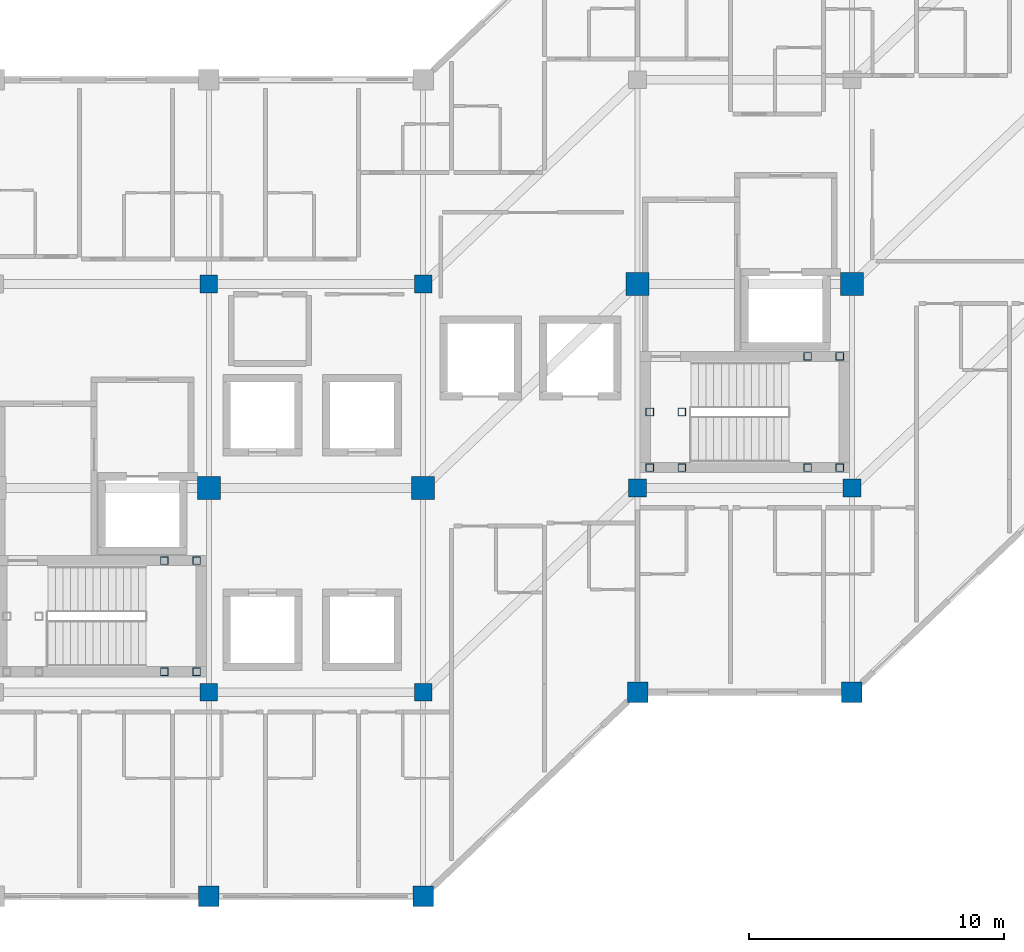
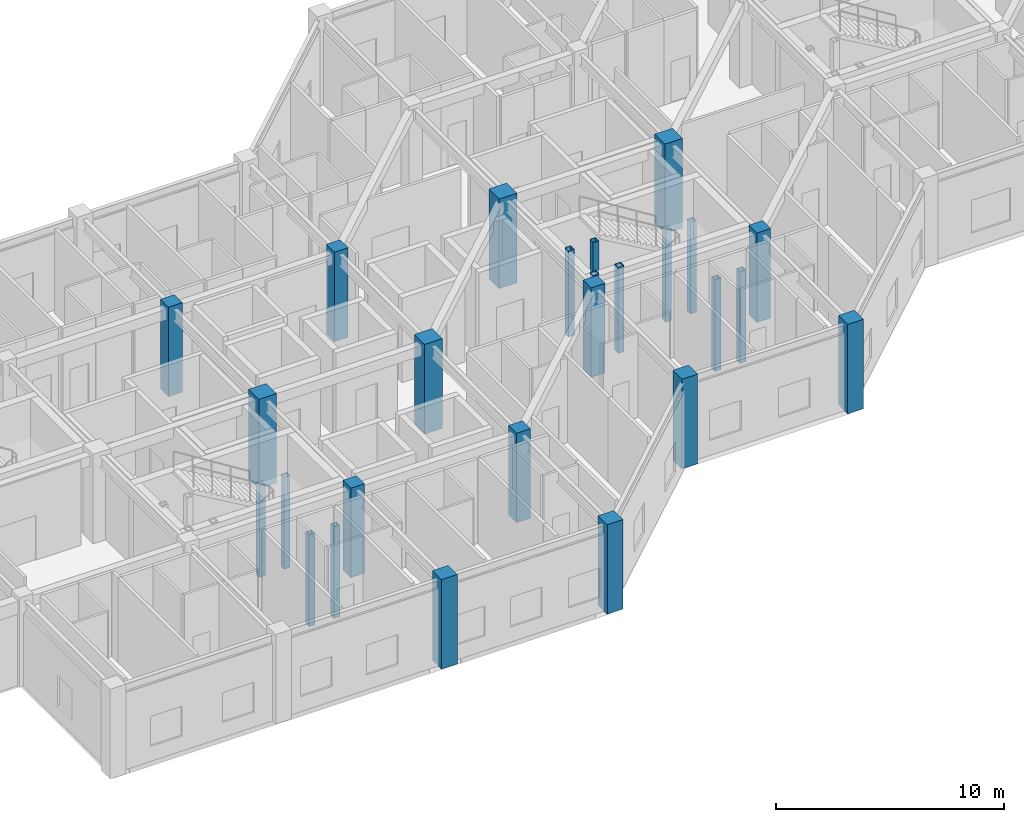
# One storey, part 8 of 76: 26 columns.
"""IFC4 building model written with IfcOpenShell, lengths in metres."""

import ifcopenshell
import ifcopenshell.guid

model = None  # the IFC model being written
_history = None  # IfcOwnerHistory: only IFC2X3 demands one
_inside = {}  # id of a spatial element -> (the spatial element, [elements in it])
_under = {}  # id of a project, library or spatial element -> (it, [spatial elements below it])
_declared = {}  # id of a project -> (the project, [libraries it declares])
_typed = {}  # id of a type object -> (the type object, [elements of that type])
_made_of = {}  # id of a material, layer set ... -> (it, [elements and type objects made of it])


def new_model(schema):
    """Start an empty IFC model of exactly this schema.

    Asked for "IFC4X3", IfcOpenShell would pick the latest addendum, in which some entities
    have other attributes; the version numbers below select the first issue.
    IFC2X3 requires an IfcOwnerHistory on every rooted entity: one is made here for all.
    """
    global model, _history
    if schema == "IFC4X3":
        model = ifcopenshell.file(schema_version=(4, 3, 0, 0))
    else:
        model = ifcopenshell.file(schema=schema)
    _inside.clear()
    _under.clear()
    _declared.clear()
    _typed.clear()
    _made_of.clear()
    _history = None
    if model.schema == "IFC2X3":
        org = make("IfcOrganization", Name="unknown")
        user = make(
            "IfcPersonAndOrganization",
            ThePerson=make("IfcPerson", FamilyName="unknown"),
            TheOrganization=org,
        )
        app = make(
            "IfcApplication",
            ApplicationDeveloper=org,
            Version="unknown",
            ApplicationFullName="unknown",
            ApplicationIdentifier="unknown",
        )
        _history = make(
            "IfcOwnerHistory",
            OwningUser=user,
            OwningApplication=app,
            ChangeAction="ADDED",
            CreationDate=0,
        )
    return model


def make(cls, **values):
    """One entity of the class cls with the attributes given. An attribute that is None is left unset."""
    return model.create_entity(
        cls, **{name: value for name, value in values.items() if value is not None}
    )


def rooted(cls, **values):
    """An entity with a GlobalId (a new one), such as an element, a storey or a relation."""
    return make(cls, GlobalId=ifcopenshell.guid.new(), OwnerHistory=_history, **values)


def si_unit(unit_type, name, prefix=None):
    """IfcSIUnit, for example si_unit("LENGTHUNIT", "METRE", prefix="MILLI")."""
    return make("IfcSIUnit", UnitType=unit_type, Prefix=prefix, Name=name)


def assignment(units):
    """IfcUnitAssignment: the units of a project."""
    return None if units is None else make("IfcUnitAssignment", Units=units)


def point(xyz):
    """IfcCartesianPoint."""
    return None if xyz is None else make("IfcCartesianPoint", Coordinates=xyz)


def direction(xyz):
    """IfcDirection."""
    return None if xyz is None else make("IfcDirection", DirectionRatios=xyz)


def frame(location, z_axis=None, x_axis=None):
    """IfcAxis2Placement3D, a coordinate frame: its origin and axes. An axis left out is left unset."""
    return make(
        "IfcAxis2Placement3D",
        Location=point(location),
        Axis=direction(z_axis),
        RefDirection=direction(x_axis),
    )


def frame_2d(location, x_axis=None):
    """IfcAxis2Placement2D, a coordinate frame in the plane: its origin and x axis."""
    return make(
        "IfcAxis2Placement2D", Location=point(location), RefDirection=direction(x_axis)
    )


def origin():
    """The frame at (0, 0, 0) with its axes left unset."""
    return frame((0.0, 0.0, 0.0))


def origin_2d():
    """The frame at (0, 0) in the plane with its x axis left unset."""
    return frame_2d((0.0, 0.0))


def place(relative_to, where):
    """IfcLocalPlacement: puts the frame where relative to a parent placement (None: the world)."""
    return make(
        "IfcLocalPlacement", PlacementRelTo=relative_to, RelativePlacement=where
    )


def context(
    kind, dimensions, precision=None, world=None, true_north=None, identifier=None
):
    """IfcGeometricRepresentationContext, for example the 3D "Model" context."""
    return make(
        "IfcGeometricRepresentationContext",
        ContextIdentifier=identifier,
        ContextType=kind,
        CoordinateSpaceDimension=dimensions,
        Precision=precision,
        WorldCoordinateSystem=world,
        TrueNorth=true_north,
    )


def subcontext(parent, identifier, kind, view, scale=None):
    """IfcGeometricRepresentationSubContext, for example "Body" below "Model"."""
    return make(
        "IfcGeometricRepresentationSubContext",
        ContextIdentifier=identifier,
        ContextType=kind,
        ParentContext=parent,
        TargetScale=scale,
        TargetView=view,
    )


def project(units=None, contexts=None):
    """IfcProject with its units and contexts."""
    return rooted(
        "IfcProject",
        Name="project",
        RepresentationContexts=contexts,
        UnitsInContext=assignment(units),
    )


def spatial(cls, under=None, at=None, **own):
    """A site, building, storey or space (cls), placed at a placement, below another one or the project."""
    s = rooted(cls, ObjectPlacement=at, **own)
    if under is not None:
        _under.setdefault(under.id(), (under, []))[1].append(s)
    return s


def profile(cls, at=None, kind="AREA", **sizes):
    """A parametric profile (cls). Its sizes go by their IFC names, for example OverallWidth=200.0."""
    return make(cls, ProfileType=kind, Position=at, **sizes)


def rectangle(**sizes):
    """IfcRectangleProfileDef."""
    return profile("IfcRectangleProfileDef", **sizes)


def hollow_rectangle(**sizes):
    """IfcRectangleHollowProfileDef."""
    return profile("IfcRectangleHollowProfileDef", **sizes)


def extrude(swept, where, along, depth):
    """IfcExtrudedAreaSolid: the profile swept, set in the frame where, extruded along a direction by depth."""
    return make(
        "IfcExtrudedAreaSolid",
        SweptArea=swept,
        Position=where,
        ExtrudedDirection=direction(along),
        Depth=depth,
    )


def shape(context_of_items, identifier, shape_type, items):
    """IfcShapeRepresentation: the items that make up one representation, for example the "Body"."""
    return make(
        "IfcShapeRepresentation",
        ContextOfItems=context_of_items,
        RepresentationIdentifier=identifier,
        RepresentationType=shape_type,
        Items=items,
    )


def material(Name=None, Category=None):
    """IfcMaterial."""
    return make("IfcMaterial", Name=Name, Category=Category)


def material_profile(
    of_material, cross_section, Name=None, Category=None, Priority=None
):
    """IfcMaterialProfile: a cross section and its material."""
    return make(
        "IfcMaterialProfile",
        Name=Name,
        Material=of_material,
        Profile=cross_section,
        Priority=Priority,
        Category=Category,
    )


def profile_set(profiles, Name=None, composite=None):
    """IfcMaterialProfileSet."""
    return make(
        "IfcMaterialProfileSet",
        Name=Name,
        MaterialProfiles=profiles,
        CompositeProfile=composite,
    )


def made_of(thing, what):
    """Note that an element or type object is made of a material, layer set ...; save() writes the relation."""
    if what is not None:
        _made_of.setdefault(what.id(), (what, []))[1].append(thing)
    return thing


def type_object(cls, material=None, **own):
    """A type object (cls), such as IfcWallType, which elements share."""
    return made_of(rooted(cls, **own), material)


def element(
    cls,
    number,
    at=None,
    inside=None,
    cuts=None,
    type_object=None,
    material=None,
    context=None,
    identifier="Body",
    shape_type=None,
    held_by="IfcProductDefinitionShape",
    body=None,
    shapes=None,
    **own,
):
    """One element of the class cls, such as IfcWall. Its Tag is "e" and its number.

    at: its placement. inside: the storey or other place that contains it. cuts: it is an
    opening in that element (IfcRelVoidsElement). A single representation is given by context,
    identifier, shape_type and body (its items); several are given by shapes. held_by: the class
    of the entity that holds the representations. save() writes the other relations.
    """
    e = rooted(cls, Tag="e%d" % number, ObjectPlacement=at, **own)
    if body is not None:
        shapes = [shape(context, identifier, shape_type, body)]
    if shapes is not None:
        e.Representation = make(held_by, Representations=shapes)
    if inside is not None:
        _inside.setdefault(inside.id(), (inside, []))[1].append(e)
    if cuts is not None:
        rooted(
            "IfcRelVoidsElement", RelatingBuildingElement=cuts, RelatedOpeningElement=e
        )
    if type_object is not None:
        _typed.setdefault(type_object.id(), (type_object, []))[1].append(e)
    return made_of(e, material)


def aggregate(whole, parts):
    """IfcRelAggregates: a whole, such as a stair, and the parts it consists of."""
    return rooted("IfcRelAggregates", RelatingObject=whole, RelatedObjects=parts)


def save(model, path):
    """Write the relations noted so far, then the file.

    IfcRelAggregates (storeys below a building ...), IfcRelContainedInSpatialStructure (elements
    in a storey), IfcRelDefinesByType, IfcRelAssociatesMaterial and IfcRelDeclares: one each for
    every whole, place, type object, material and project.
    """
    for whole, parts in _under.values():
        aggregate(whole, parts)
    for where, things in _inside.values():
        rooted(
            "IfcRelContainedInSpatialStructure",
            RelatedElements=things,
            RelatingStructure=where,
        )
    for kind, things in _typed.values():
        rooted("IfcRelDefinesByType", RelatedObjects=things, RelatingType=kind)
    for what, things in _made_of.values():
        rooted("IfcRelAssociatesMaterial", RelatedObjects=things, RelatingMaterial=what)
    for by, libraries in _declared.values():
        rooted("IfcRelDeclares", RelatingContext=by, RelatedDefinitions=libraries)
    model.write(path)


model = new_model("IFC4")

# Units and contexts
model_context = context("Model", 3, precision=1e-05, world=origin(), true_north=direction((0.0, 1.0)))
body_context = subcontext(model_context, "Body", "Model", "MODEL_VIEW")
ifc_project = project(units=[si_unit("LENGTHUNIT", "METRE"), si_unit("AREAUNIT", "SQUARE_METRE"), si_unit("VOLUMEUNIT", "CUBIC_METRE"), si_unit("PLANEANGLEUNIT", "RADIAN"), si_unit("MASSUNIT", "GRAM", prefix="KILO")], contexts=[model_context])

# Site, building, storey
site_placement = place(None, origin())
site = spatial("IfcSite", under=ifc_project, at=site_placement, CompositionType="ELEMENT")
building_placement = place(site_placement, origin())
building = spatial("IfcBuilding", under=site, at=building_placement, Name="Naruveol Harbour Congress Hotel", CompositionType="ELEMENT")
storey_placement = place(building_placement, frame((0.0, 0.0, 11.39990234375)))
storey = spatial("IfcBuildingStorey", under=building, at=storey_placement, Name="L02", CompositionType="ELEMENT", Elevation=11.39990234375)

# Columns
ifc_material_1 = material(Name="Concrete C40/50", Category="concrete")
ifc_material_profile_1 = material_profile(ifc_material_1, rectangle(XDim=0.699951171875, YDim=0.699951171875, at=origin_2d()), Name="RC-700x700")
ifc_profile_set_1 = profile_set([ifc_material_profile_1], Name="Concrete C40/50")
column_type_1 = type_object("IfcColumnType", Name="RC HOTEL COLUMN 700X700", PredefinedType="COLUMN", material=ifc_profile_set_1)
for number, where, z_axis, x_axis, name in (
    (1, (134.39990234375, 8.0, 0.0), (0.0, 0.0, 1.0), (1.0, 0.0, 0.0), "Planted hotel column C-700 L02 S2/J1"),
    (2, (134.39990234375, 24.0, 0.0), (0.0, 0.0, 1.0), (1.0, 0.0, 0.0), "Planted hotel column C-700 L02 S2/J3"),
    (3, (142.800048828125, 8.0, 0.0), (0.0, 0.0, 1.0), (1.0, 0.0, 0.0), "Planted hotel column C-700 L02 S3/J1"),
    (4, (142.800048828125, 24.0, 0.0), (0.0, 0.0, 1.0), (1.0, 0.0, 0.0), "Planted hotel column C-700 L02 S3/J3"),
    (5, (151.199951171875, 16.0, 0.0), (0.0, 0.0, 1.0), (1.0, 0.0, 0.0), "Planted hotel column C-700 L02 S4/J1"),
    (6, (159.60009765625, 16.0, 0.0), (0.0, 0.0, 1.0), (1.0, 0.0, 0.0), "Planted hotel column C-700 L02 S5/J1"),
):
    element("IfcColumn", number, at=place(storey_placement, frame(where, z_axis=z_axis, x_axis=x_axis)), inside=storey, type_object=column_type_1, Name=name, PredefinedType="COLUMN", context=body_context, shape_type="SweptSolid", body=[
        extrude(rectangle(XDim=0.699951171875, YDim=0.699951171875, at=origin_2d()), origin(), (0.0, 0.0, 1.0), 4.800048828125),
    ])
ifc_material_2 = material(Name="Concrete C50/60", Category="concrete")
ifc_material_profile_2 = material_profile(ifc_material_2, rectangle(XDim=0.800048828125, YDim=0.800048828125, at=origin_2d()), Name="RC-800x800")
ifc_profile_set_2 = profile_set([ifc_material_profile_2], Name="Concrete C50/60")
column_type_2 = type_object("IfcColumnType", Name="RC PODIUM COLUMN 800X800", PredefinedType="COLUMN", material=ifc_profile_set_2)
for number, where, z_axis, x_axis, name in (
    (7, (134.39990234375, 0.0, 0.0), (0.0, 0.0, 1.0), (1.0, 0.0, 0.0), "Column C-800 L02 (134.4,0.0)"),
    (8, (142.800048828125, 0.0, 0.0), (0.0, 0.0, 1.0), (1.0, 0.0, 0.0), "Column C-800 L02 (142.8,0.0)"),
    (9, (151.199951171875, 8.0, 0.0), (0.0, 0.0, 1.0), (1.0, 0.0, 0.0), "Column C-800 L02 (151.2,8.0)"),
    (10, (159.60009765625, 8.0, 0.0), (0.0, 0.0, 1.0), (1.0, 0.0, 0.0), "Column C-800 L02 (159.6,8.0)"),
):
    element("IfcColumn", number, at=place(storey_placement, frame(where, z_axis=z_axis, x_axis=x_axis)), inside=storey, type_object=column_type_2, Name=name, PredefinedType="COLUMN", context=body_context, shape_type="SweptSolid", body=[
        extrude(rectangle(XDim=0.800048828125, YDim=0.800048828125, at=origin_2d()), origin(), (0.0, 0.0, 1.0), 4.800048828125),
    ])
ifc_material_3 = material(Name="Concrete C50/60", Category="concrete")
ifc_material_profile_3 = material_profile(ifc_material_3, rectangle(XDim=0.89990234375, YDim=0.89990234375, at=origin_2d()), Name="RC-900x900")
ifc_profile_set_3 = profile_set([ifc_material_profile_3], Name="Concrete C50/60")
column_type_3 = type_object("IfcColumnType", Name="RC PRIMARY COLUMN 900X900", PredefinedType="COLUMN", material=ifc_profile_set_3)
for number, where, z_axis, x_axis, name in (
    (11, (134.39990234375, 16.0, 0.0), (0.0, 0.0, 1.0), (1.0, 0.0, 0.0), "Column C-900 L02 (134.4,16.0)"),
    (12, (142.800048828125, 16.0, 0.0), (0.0, 0.0, 1.0), (1.0, 0.0, 0.0), "Column C-900 L02 (142.8,16.0)"),
    (13, (151.199951171875, 24.0, 0.0), (0.0, 0.0, 1.0), (1.0, 0.0, 0.0), "Column C-900 L02 (151.2,24.0)"),
    (14, (159.60009765625, 24.0, 0.0), (0.0, 0.0, 1.0), (1.0, 0.0, 0.0), "Column C-900 L02 (159.6,24.0)"),
):
    element("IfcColumn", number, at=place(storey_placement, frame(where, z_axis=z_axis, x_axis=x_axis)), inside=storey, type_object=column_type_3, Name=name, PredefinedType="COLUMN", context=body_context, shape_type="SweptSolid", body=[
        extrude(rectangle(XDim=0.89990234375, YDim=0.89990234375, at=origin_2d()), origin(), (0.0, 0.0, 1.0), 4.800048828125),
    ])
ifc_material_4 = material(Name="Steel SN490", Category="steel")
ifc_material_profile_4 = material_profile(ifc_material_4, hollow_rectangle(XDim=0.300048828125, YDim=0.300048828125, WallThickness=0.011962890625, at=origin_2d()), Name="SHS-300x300x12")
ifc_profile_set_4 = profile_set([ifc_material_profile_4], Name="Steel SN490")
column_type_4 = type_object("IfcColumnType", Name="STEEL COLONNADE POST SHS300", PredefinedType="COLUMN", material=ifc_profile_set_4)
for number, where, z_axis, x_axis, name in (
    (15, (132.659912109375, 8.800048828125, -2.699951171875), (0.0, 0.0, 1.0), (1.0, 0.0, 0.0), "Stair landing support post ST1E #52"),
    (16, (132.659912109375, 13.159912109375, -2.699951171875), (0.0, 0.0, 1.0), (1.0, 0.0, 0.0), "Stair landing support post ST1E #64"),
    (17, (133.919921875, 8.800048828125, -2.699951171875), (0.0, 0.0, 1.0), (1.0, 0.0, 0.0), "Stair landing support post ST1E #76"),
    (18, (133.919921875, 13.159912109375, -2.699951171875), (0.0, 0.0, 1.0), (1.0, 0.0, 0.0), "Stair landing support post ST1E #88"),
):
    element("IfcColumn", number, at=place(storey_placement, frame(where, z_axis=z_axis, x_axis=x_axis)), inside=storey, type_object=column_type_4, Name=name, PredefinedType="COLUMN", context=body_context, shape_type="SweptSolid", body=[
        extrude(hollow_rectangle(XDim=0.300048828125, YDim=0.300048828125, WallThickness=0.011962890625, at=origin_2d()), origin(), (0.0, 0.0, 1.0), 4.920166015625),
    ])
for number, where, z_axis, x_axis, name in (
    (19, (151.679931640625, 16.800048828125, 0.0), (0.0, 0.0, 1.0), (1.0, 0.0, 0.0), "Stair landing support post ST2W #100"),
    (20, (151.679931640625, 18.97998046875, 0.0), (0.0, 0.0, 1.0), (1.0, 0.0, 0.0), "Stair landing support post ST2W #112"),
    (21, (152.93994140625, 16.800048828125, 0.0), (0.0, 0.0, 1.0), (1.0, 0.0, 0.0), "Stair landing support post ST2W #124"),
    (22, (152.93994140625, 18.97998046875, 0.0), (0.0, 0.0, 1.0), (1.0, 0.0, 0.0), "Stair landing support post ST2W #136"),
):
    element("IfcColumn", number, at=place(storey_placement, frame(where, z_axis=z_axis, x_axis=x_axis)), inside=storey, type_object=column_type_4, Name=name, PredefinedType="COLUMN", context=body_context, shape_type="SweptSolid", body=[
        extrude(hollow_rectangle(XDim=0.300048828125, YDim=0.300048828125, WallThickness=0.011962890625, at=origin_2d()), origin(), (0.0, 0.0, 1.0), 4.6201171875),
    ])
for number, where, z_axis, x_axis, name in (
    (23, (157.860107421875, 16.800048828125, -2.699951171875), (0.0, 0.0, 1.0), (1.0, 0.0, 0.0), "Stair landing support post ST2E #148"),
    (24, (157.860107421875, 21.159912109375, -2.699951171875), (0.0, 0.0, 1.0), (1.0, 0.0, 0.0), "Stair landing support post ST2E #160"),
    (25, (159.1201171875, 16.800048828125, -2.699951171875), (0.0, 0.0, 1.0), (1.0, 0.0, 0.0), "Stair landing support post ST2E #172"),
    (26, (159.1201171875, 21.159912109375, -2.699951171875), (0.0, 0.0, 1.0), (1.0, 0.0, 0.0), "Stair landing support post ST2E #184"),
):
    element("IfcColumn", number, at=place(storey_placement, frame(where, z_axis=z_axis, x_axis=x_axis)), inside=storey, type_object=column_type_4, Name=name, PredefinedType="COLUMN", context=body_context, shape_type="SweptSolid", body=[
        extrude(hollow_rectangle(XDim=0.300048828125, YDim=0.300048828125, WallThickness=0.011962890625, at=origin_2d()), origin(), (0.0, 0.0, 1.0), 4.920166015625),
    ])

save(model, "model.ifc")
